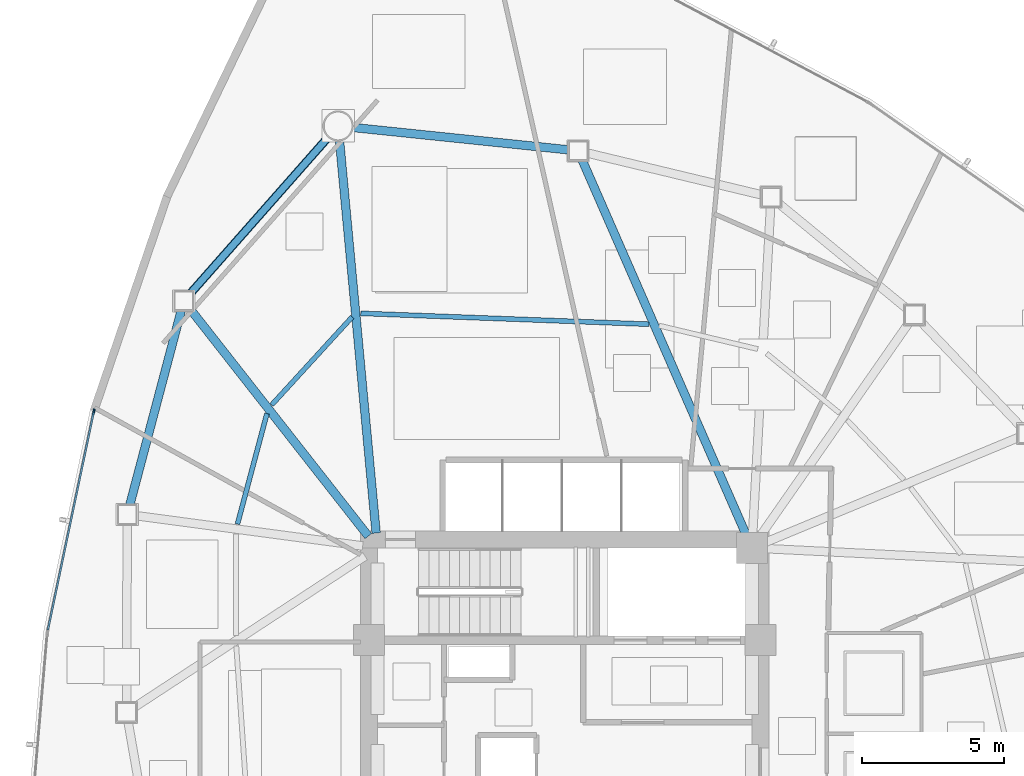
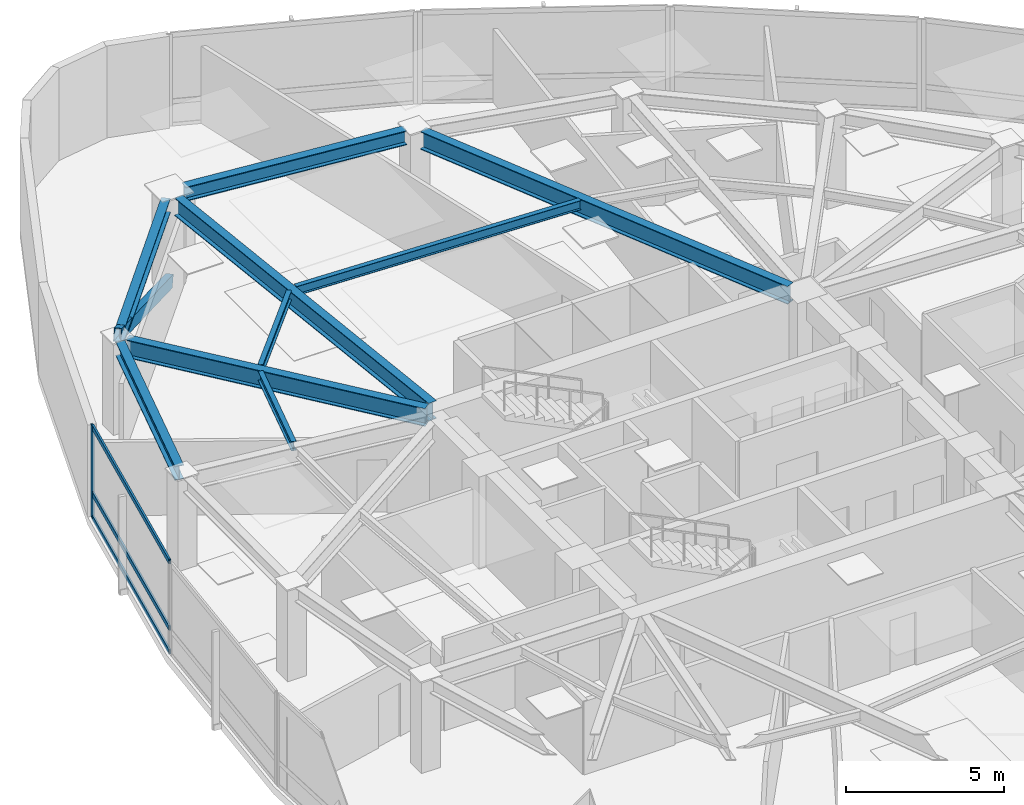
# One storey, part 7 of 17: 9 beams, 5 members, 1 element without a shape of its own.
"""IFC4 building model written with IfcOpenShell, lengths in metres."""

from ifc_helpers import new_model, si_unit, direction, frame, origin, origin_2d, place, context, subcontext, project, spatial, hollow_rectangle, i_section, extrude, source, transform, mapped, material, layer, layer_set, material_profile, profile_set, type_object, type_shapes, element, aggregate, save


model = new_model("IFC4")

# Units and contexts
model_context = context("Model", 3, precision=1e-05, world=origin(), true_north=direction((0.0, 1.0)))
body_context = subcontext(model_context, "Body", "Model", "MODEL_VIEW")
ifc_project = project(units=[si_unit("LENGTHUNIT", "METRE"), si_unit("AREAUNIT", "SQUARE_METRE"), si_unit("VOLUMEUNIT", "CUBIC_METRE"), si_unit("PLANEANGLEUNIT", "RADIAN"), si_unit("MASSUNIT", "GRAM", prefix="KILO")], contexts=[model_context])

# Site, building, storey
site_placement = place(None, origin())
site = spatial("IfcSite", under=ifc_project, at=site_placement, CompositionType="ELEMENT")
building_placement = place(site_placement, origin())
building = spatial("IfcBuilding", under=site, at=building_placement, Name="Tavelor Broadcast Tower", CompositionType="ELEMENT")
storey_placement = place(building_placement, frame((0.0, 0.0, 123.300048828125)))
storey = spatial("IfcBuildingStorey", under=building, at=storey_placement, Name="L28", CompositionType="ELEMENT", Elevation=123.300048828125)

# Beams
ifc_material_1 = material(Name="Steel S355", Category="steel")
ifc_material_profile_1 = material_profile(ifc_material_1, i_section(OverallWidth=0.169921875, OverallDepth=0.360107421875, WebThickness=0.008056640625, FlangeThickness=0.0126953125, at=origin_2d()), Name="IPE 360")
ifc_profile_set_1 = profile_set([ifc_material_profile_1], Name="Steel S355")
beam_type_1 = type_object("IfcBeamType", Name="Composite Floor Joist T3 IPE 360", PredefinedType="JOIST", material=ifc_profile_set_1)
beam_1_placement = place(storey_placement, frame((42.505126953125, 59.344970703125, 3.369873046875), z_axis=(-0.675177020038, -0.737655740581, 0.0), x_axis=(0.737655740581, -0.675177020038, 0.0)))
element("IfcBeam", 1, at=beam_1_placement, inside=storey, type_object=beam_type_1, Name="L28 Secondary Composite Floor Joist 01", PredefinedType="JOIST", context=body_context, shape_type="SweptSolid", body=[
    extrude(i_section(OverallWidth=0.169921875, OverallDepth=0.360107421875, WebThickness=0.008056640625, FlangeThickness=0.0126953125, at=origin_2d()), origin(), (0.0, 0.0, 1.0), 4.20068359375),
])
beam_2_placement = place(storey_placement, frame((39.5, 55.937744140625, 3.369873046875), z_axis=(-0.257647578953, -0.966238958571, 0.0), x_axis=(0.966238958571, -0.257647578953, 0.0)))
element("IfcBeam", 2, at=beam_2_placement, inside=storey, type_object=beam_type_1, Name="L28 Secondary Composite Floor Joist 02", PredefinedType="JOIST", context=body_context, shape_type="SweptSolid", body=[
    extrude(i_section(OverallWidth=0.169921875, OverallDepth=0.360107421875, WebThickness=0.008056640625, FlangeThickness=0.0126953125, at=origin_2d()), origin(), (0.0, 0.0, 1.0), 4.032958984375),
])
beam_3_placement = place(storey_placement, frame((52.969970703125, 59.08837890625, 3.369873046875), z_axis=(-0.999289376722, 0.037692725691, 0.0), x_axis=(-0.037692725691, -0.999289376722, 0.0)))
element("IfcBeam", 3, at=beam_3_placement, inside=storey, type_object=beam_type_1, Name="L28 Secondary Composite Floor Joist 18", PredefinedType="JOIST", context=body_context, shape_type="SweptSolid", body=[
    extrude(i_section(OverallWidth=0.169921875, OverallDepth=0.360107421875, WebThickness=0.008056640625, FlangeThickness=0.0126953125, at=origin_2d()), origin(), (0.0, 0.0, 1.0), 10.169189453125),
])
ifc_material_profile_2 = material_profile(ifc_material_1, i_section(OverallWidth=0.300048828125, OverallDepth=0.550048828125, WebThickness=0.014892578125, FlangeThickness=0.029052734375, at=origin_2d()), Name="HEB 550")
ifc_profile_set_2 = profile_set([ifc_material_profile_2], Name="Steel S355")
beam_type_2 = type_object("IfcBeamType", Name="Perimeter Spandrel Beam T3 HEB 550", PredefinedType="SPANDREL", material=ifc_profile_set_2)
beam_4_placement = place(storey_placement, frame((41.67236328125, 65.69580078125, 3.27490234375), z_axis=(-0.661628202511, -0.749832062292, 0.0), x_axis=(0.749832062292, -0.661628202511, 0.0)))
element("IfcBeam", 4, at=beam_4_placement, inside=storey, type_object=beam_type_2, Name="L28 Framed-Tube Ring Spandrel 01", PredefinedType="SPANDREL", context=body_context, shape_type="SweptSolid", body=[
    extrude(i_section(OverallWidth=0.300048828125, OverallDepth=0.550048828125, WebThickness=0.014892578125, FlangeThickness=0.029052734375, at=origin_2d()), origin(), (0.0, 0.0, 1.0), 7.379150390625),
])
beam_5_placement = place(storey_placement, frame((36.481689453125, 59.5859375, 3.27490234375), z_axis=(-0.255779440044, -0.966735164381, 0.0), x_axis=(0.966735164381, -0.255779440044, 0.0)))
element("IfcBeam", 5, at=beam_5_placement, inside=storey, type_object=beam_type_2, Name="L28 Framed-Tube Ring Spandrel 02", PredefinedType="SPANDREL", context=body_context, shape_type="SweptSolid", body=[
    extrude(i_section(OverallWidth=0.300048828125, OverallDepth=0.550048828125, WebThickness=0.014892578125, FlangeThickness=0.029052734375, at=origin_2d()), origin(), (0.0, 0.0, 1.0), 7.11865234375),
])
beam_6_placement = place(storey_placement, frame((50.13818359375, 65.23681640625, 3.27490234375), z_axis=(-0.994661371522, 0.103192809834, 0.0), x_axis=(-0.103192809834, -0.994661371522, 0.0)))
element("IfcBeam", 6, at=beam_6_placement, inside=storey, type_object=beam_type_2, Name="L28 Framed-Tube Ring Spandrel 18", PredefinedType="SPANDREL", context=body_context, shape_type="SweptSolid", body=[
    extrude(i_section(OverallWidth=0.300048828125, OverallDepth=0.550048828125, WebThickness=0.014892578125, FlangeThickness=0.029052734375, at=origin_2d()), origin(), (0.0, 0.0, 1.0), 7.658203125),
])

# Member
ifc_material_profile_3 = material_profile(ifc_material_1, hollow_rectangle(XDim=0.25, YDim=0.449951171875, WallThickness=0.02001953125, at=origin_2d()), Name="RHS 450x250x20")
ifc_profile_set_3 = profile_set([ifc_material_profile_3], Name="Steel S355")
member_type_1 = type_object("IfcMemberType", Name="Perimeter Tube Brace T3 RHS 450x250x20", PredefinedType="BRACE", material=ifc_profile_set_3)
member_1_placement = place(storey_placement, frame((42.01123046875, 66.080078125, 0.0), z_axis=(-0.607484590691, -0.688484352459, 0.396171387776), x_axis=(0.74983872131, -0.661620655681, 0.0)))
element("IfcMember", 7, at=member_1_placement, inside=storey, type_object=member_type_1, Name="L28 Corner Tube Diagonal Brace 1", PredefinedType="BRACE", context=body_context, shape_type="SweptSolid", body=[
    extrude(hollow_rectangle(XDim=0.25, YDim=0.449951171875, WallThickness=0.02001953125, at=origin_2d()), origin(), (0.0, 0.0, 1.0), 8.9609375),
])

# Beams
ifc_material_profile_4 = material_profile(ifc_material_1, i_section(OverallWidth=0.300048828125, OverallDepth=0.68994140625, WebThickness=0.014404296875, FlangeThickness=0.027099609375, at=origin_2d()), Name="HEA 700")
ifc_profile_set_4 = profile_set([ifc_material_profile_4], Name="Steel S355")
beam_type_3 = type_object("IfcBeamType", Name="Radial Floor Girder T3 HEA 700", PredefinedType="BEAM", material=ifc_profile_set_4)
beam_7_placement = place(storey_placement, frame((43.350830078125, 51.7255859375, 3.204833984375), z_axis=(-0.092918079293, 0.995673757081, 0.0), x_axis=(-0.995673757081, -0.092918079293, 0.0)))
element("IfcBeam", 8, at=beam_7_placement, inside=storey, type_object=beam_type_3, Name="L28 Radial Primary Floor Girder 01", PredefinedType="BEAM", context=body_context, shape_type="SweptSolid", body=[
    extrude(i_section(OverallWidth=0.300048828125, OverallDepth=0.68994140625, WebThickness=0.014404296875, FlangeThickness=0.027099609375, at=origin_2d()), origin(), (0.0, 0.0, 1.0), 13.904541015625),
])
beam_8_placement = place(storey_placement, frame((43.07421875, 51.615478515625, 3.204833984375), z_axis=(-0.617166360417, 0.786832690964, 0.0), x_axis=(-0.786832690964, -0.617166360417, 0.0)))
element("IfcBeam", 9, at=beam_8_placement, inside=storey, type_object=beam_type_3, Name="L28 Radial Primary Floor Girder 02", PredefinedType="BEAM", context=body_context, shape_type="SweptSolid", body=[
    extrude(i_section(OverallWidth=0.300048828125, OverallDepth=0.68994140625, WebThickness=0.014404296875, FlangeThickness=0.027099609375, at=origin_2d()), origin(), (0.0, 0.0, 1.0), 10.20654296875),
])
beam_9_placement = place(storey_placement, frame((56.38818359375, 51.68359375, 3.204833984375), z_axis=(-0.400896102053, 0.916123526255, 0.0), x_axis=(-0.916123526255, -0.400896102053, 0.0)))
element("IfcBeam", 10, at=beam_9_placement, inside=storey, type_object=beam_type_3, Name="L28 Radial Primary Floor Girder 18", PredefinedType="BEAM", context=body_context, shape_type="SweptSolid", body=[
    extrude(i_section(OverallWidth=0.300048828125, OverallDepth=0.68994140625, WebThickness=0.014404296875, FlangeThickness=0.027099609375, at=origin_2d()), origin(), (0.0, 0.0, 1.0), 14.420166015625),
])

# Curtain wall, members
ifc_material_2 = material(Name="Architectural Anodized Aluminium", Category="aluminium")
ifc_layer = layer(ifc_material_2, 0.18994140625)
ifc_layer_set = layer_set([ifc_layer], Name="Architectural Anodized Aluminium")
curtain_wall_type = type_object("IfcCurtainWallType", Name="Tower Mid-Zone Acoustic Curtain Wall CW03", PredefinedType="NOTDEFINED", material=ifc_layer_set)
curtain_wall_placement = place(storey_placement, origin())
curtain_wall = element("IfcCurtainWall", 11, at=curtain_wall_placement, inside=storey, type_object=curtain_wall_type, Name="L28 Curtain Wall CW03 Run 277", PredefinedType="NOTDEFINED")
ifc_material_profile_5 = material_profile(ifc_material_2, hollow_rectangle(XDim=0.068115234375, YDim=0.18994140625, WallThickness=0.02197265625, at=origin_2d()), Name="RHS 68x190x22")
ifc_profile_set_5 = profile_set([ifc_material_profile_5], Name="Architectural Anodized Aluminium")
member_type_2 = type_object("IfcMemberType", Name="CW03 Extruded Aluminium Mullion 68x190", PredefinedType="MULLION", material=ifc_profile_set_5)
shared_shape_1 = source(origin(), body_context, "Body", "SweptSolid", [
    extrude(hollow_rectangle(XDim=0.068115234375, YDim=0.18994140625, WallThickness=0.02197265625, at=origin_2d()), origin(), (0.0, 0.0, 1.0), 3.550048828125),
])
type_shapes(member_type_2, [shared_shape_1])
member_2_placement = place(storey_placement, frame((33.39501953125, 56.008056640625, 0.0), z_axis=(0.0, 0.0, 1.0), x_axis=(0.978597804407, -0.205782256789, 0.0)))
member_2 = element("IfcMember", 12, at=member_2_placement, type_object=member_type_2, Name="CW03 mullion 1", PredefinedType="MULLION", context=body_context, shape_type="MappedRepresentation", body=[
    mapped(shared_shape_1, transform((0.0, 0.0, 0.0), scale=1.0)),
])
ifc_material_profile_6 = material_profile(ifc_material_2, hollow_rectangle(XDim=0.068115234375, YDim=0.18994140625, WallThickness=0.02197265625, at=origin_2d()), Name="RHS 68x190x22")
ifc_profile_set_6 = profile_set([ifc_material_profile_6], Name="Architectural Anodized Aluminium")
member_type_3 = type_object("IfcMemberType", Name="CW03 Extruded Aluminium Transom 68x190", PredefinedType="USERDEFINED", material=ifc_profile_set_6)
shared_shape_2 = source(origin(), body_context, "Body", "SweptSolid", [
    extrude(hollow_rectangle(XDim=0.068115234375, YDim=0.18994140625, WallThickness=0.02197265625, at=origin_2d()), origin(), (0.0, 0.0, 1.0), 7.8359375),
])
type_shapes(member_type_3, [shared_shape_2])
member_3_placement = place(storey_placement, frame((33.38818359375, 55.974853515625, 0.033935546875), z_axis=(-0.205789074126, -0.978596370814, 0.0), x_axis=(0.978596370814, -0.205789074126, 0.0)))
member_3 = element("IfcMember", 13, at=member_3_placement, type_object=member_type_3, Name="CW03 transom 1.1", ObjectType="TRANSOM", PredefinedType="USERDEFINED", context=body_context, shape_type="MappedRepresentation", body=[
    mapped(shared_shape_2, transform((0.0, 0.0, 0.0), scale=1.0)),
])
member_4_placement = place(storey_placement, frame((33.38818359375, 55.974853515625, 0.949951171875), z_axis=(-0.205789074126, -0.978596370814, 0.0), x_axis=(0.978596370814, -0.205789074126, 0.0)))
member_4 = element("IfcMember", 14, at=member_4_placement, type_object=member_type_3, Name="CW03 transom 1.2", ObjectType="TRANSOM", PredefinedType="USERDEFINED", context=body_context, shape_type="MappedRepresentation", body=[
    mapped(shared_shape_2, transform((0.0, 0.0, 0.0), scale=1.0)),
])
member_5_placement = place(storey_placement, frame((33.38818359375, 55.974853515625, 3.515869140625), z_axis=(-0.205789074126, -0.978596370814, 0.0), x_axis=(0.978596370814, -0.205789074126, 0.0)))
member_5 = element("IfcMember", 15, at=member_5_placement, type_object=member_type_3, Name="CW03 transom 1.3", ObjectType="TRANSOM", PredefinedType="USERDEFINED", context=body_context, shape_type="MappedRepresentation", body=[
    mapped(shared_shape_2, transform((0.0, 0.0, 0.0), scale=1.0)),
])
aggregate(curtain_wall, [member_2, member_3, member_4, member_5])

save(model, "model.ifc")
